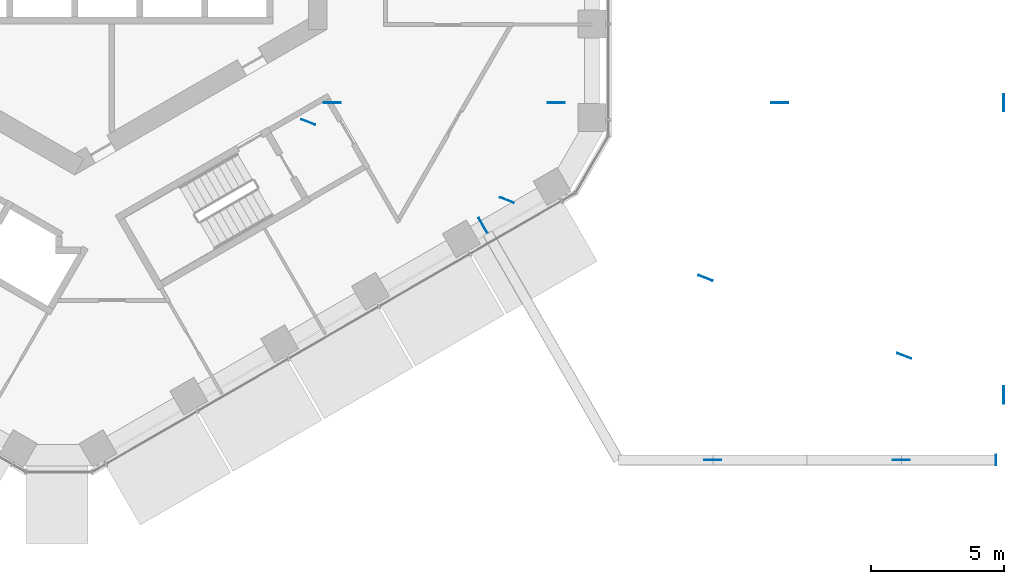
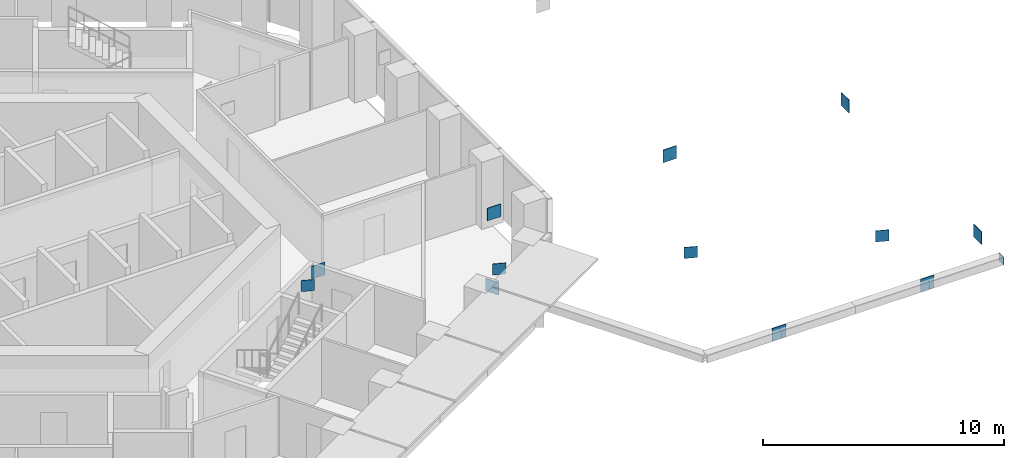
# One storey, part 17 of 21: 13 discrete accessories.
"""IFC4 building model written with IfcOpenShell, lengths in metres."""

import ifcopenshell
import ifcopenshell.guid

model = None  # the IFC model being written
_history = None  # IfcOwnerHistory: only IFC2X3 demands one
_inside = {}  # id of a spatial element -> (the spatial element, [elements in it])
_under = {}  # id of a project, library or spatial element -> (it, [spatial elements below it])
_declared = {}  # id of a project -> (the project, [libraries it declares])
_typed = {}  # id of a type object -> (the type object, [elements of that type])
_made_of = {}  # id of a material, layer set ... -> (it, [elements and type objects made of it])


def new_model(schema):
    """Start an empty IFC model of exactly this schema.

    Asked for "IFC4X3", IfcOpenShell would pick the latest addendum, in which some entities
    have other attributes; the version numbers below select the first issue.
    IFC2X3 requires an IfcOwnerHistory on every rooted entity: one is made here for all.
    """
    global model, _history
    if schema == "IFC4X3":
        model = ifcopenshell.file(schema_version=(4, 3, 0, 0))
    else:
        model = ifcopenshell.file(schema=schema)
    _inside.clear()
    _under.clear()
    _declared.clear()
    _typed.clear()
    _made_of.clear()
    _history = None
    if model.schema == "IFC2X3":
        org = make("IfcOrganization", Name="unknown")
        user = make(
            "IfcPersonAndOrganization",
            ThePerson=make("IfcPerson", FamilyName="unknown"),
            TheOrganization=org,
        )
        app = make(
            "IfcApplication",
            ApplicationDeveloper=org,
            Version="unknown",
            ApplicationFullName="unknown",
            ApplicationIdentifier="unknown",
        )
        _history = make(
            "IfcOwnerHistory",
            OwningUser=user,
            OwningApplication=app,
            ChangeAction="ADDED",
            CreationDate=0,
        )
    return model


def make(cls, **values):
    """One entity of the class cls with the attributes given. An attribute that is None is left unset."""
    return model.create_entity(
        cls, **{name: value for name, value in values.items() if value is not None}
    )


def rooted(cls, **values):
    """An entity with a GlobalId (a new one), such as an element, a storey or a relation."""
    return make(cls, GlobalId=ifcopenshell.guid.new(), OwnerHistory=_history, **values)


def si_unit(unit_type, name, prefix=None):
    """IfcSIUnit, for example si_unit("LENGTHUNIT", "METRE", prefix="MILLI")."""
    return make("IfcSIUnit", UnitType=unit_type, Prefix=prefix, Name=name)


def assignment(units):
    """IfcUnitAssignment: the units of a project."""
    return None if units is None else make("IfcUnitAssignment", Units=units)


def point(xyz):
    """IfcCartesianPoint."""
    return None if xyz is None else make("IfcCartesianPoint", Coordinates=xyz)


def direction(xyz):
    """IfcDirection."""
    return None if xyz is None else make("IfcDirection", DirectionRatios=xyz)


def frame(location, z_axis=None, x_axis=None):
    """IfcAxis2Placement3D, a coordinate frame: its origin and axes. An axis left out is left unset."""
    return make(
        "IfcAxis2Placement3D",
        Location=point(location),
        Axis=direction(z_axis),
        RefDirection=direction(x_axis),
    )


def frame_2d(location, x_axis=None):
    """IfcAxis2Placement2D, a coordinate frame in the plane: its origin and x axis."""
    return make(
        "IfcAxis2Placement2D", Location=point(location), RefDirection=direction(x_axis)
    )


def origin():
    """The frame at (0, 0, 0) with its axes left unset."""
    return frame((0.0, 0.0, 0.0))


def origin_2d():
    """The frame at (0, 0) in the plane with its x axis left unset."""
    return frame_2d((0.0, 0.0))


def place(relative_to, where):
    """IfcLocalPlacement: puts the frame where relative to a parent placement (None: the world)."""
    return make(
        "IfcLocalPlacement", PlacementRelTo=relative_to, RelativePlacement=where
    )


def context(
    kind, dimensions, precision=None, world=None, true_north=None, identifier=None
):
    """IfcGeometricRepresentationContext, for example the 3D "Model" context."""
    return make(
        "IfcGeometricRepresentationContext",
        ContextIdentifier=identifier,
        ContextType=kind,
        CoordinateSpaceDimension=dimensions,
        Precision=precision,
        WorldCoordinateSystem=world,
        TrueNorth=true_north,
    )


def subcontext(parent, identifier, kind, view, scale=None):
    """IfcGeometricRepresentationSubContext, for example "Body" below "Model"."""
    return make(
        "IfcGeometricRepresentationSubContext",
        ContextIdentifier=identifier,
        ContextType=kind,
        ParentContext=parent,
        TargetScale=scale,
        TargetView=view,
    )


def project(units=None, contexts=None):
    """IfcProject with its units and contexts."""
    return rooted(
        "IfcProject",
        Name="project",
        RepresentationContexts=contexts,
        UnitsInContext=assignment(units),
    )


def spatial(cls, under=None, at=None, **own):
    """A site, building, storey or space (cls), placed at a placement, below another one or the project."""
    s = rooted(cls, ObjectPlacement=at, **own)
    if under is not None:
        _under.setdefault(under.id(), (under, []))[1].append(s)
    return s


def profile(cls, at=None, kind="AREA", **sizes):
    """A parametric profile (cls). Its sizes go by their IFC names, for example OverallWidth=200.0."""
    return make(cls, ProfileType=kind, Position=at, **sizes)


def rectangle(**sizes):
    """IfcRectangleProfileDef."""
    return profile("IfcRectangleProfileDef", **sizes)


def extrude(swept, where, along, depth):
    """IfcExtrudedAreaSolid: the profile swept, set in the frame where, extruded along a direction by depth."""
    return make(
        "IfcExtrudedAreaSolid",
        SweptArea=swept,
        Position=where,
        ExtrudedDirection=direction(along),
        Depth=depth,
    )


def shape(context_of_items, identifier, shape_type, items):
    """IfcShapeRepresentation: the items that make up one representation, for example the "Body"."""
    return make(
        "IfcShapeRepresentation",
        ContextOfItems=context_of_items,
        RepresentationIdentifier=identifier,
        RepresentationType=shape_type,
        Items=items,
    )


def material(Name=None, Category=None):
    """IfcMaterial."""
    return make("IfcMaterial", Name=Name, Category=Category)


def layer(
    of_material, thickness, ventilated=None, Name=None, Category=None, Priority=None
):
    """IfcMaterialLayer: one layer of a wall or slab, of a material (None: an air gap)."""
    return make(
        "IfcMaterialLayer",
        Material=of_material,
        LayerThickness=thickness,
        IsVentilated=ventilated,
        Name=Name,
        Category=Category,
        Priority=Priority,
    )


def layer_set(layers, Name=None):
    """IfcMaterialLayerSet."""
    return make("IfcMaterialLayerSet", MaterialLayers=layers, LayerSetName=Name)


def made_of(thing, what):
    """Note that an element or type object is made of a material, layer set ...; save() writes the relation."""
    if what is not None:
        _made_of.setdefault(what.id(), (what, []))[1].append(thing)
    return thing


def type_object(cls, material=None, **own):
    """A type object (cls), such as IfcWallType, which elements share."""
    return made_of(rooted(cls, **own), material)


def element(
    cls,
    number,
    at=None,
    inside=None,
    cuts=None,
    type_object=None,
    material=None,
    context=None,
    identifier="Body",
    shape_type=None,
    held_by="IfcProductDefinitionShape",
    body=None,
    shapes=None,
    **own,
):
    """One element of the class cls, such as IfcWall. Its Tag is "e" and its number.

    at: its placement. inside: the storey or other place that contains it. cuts: it is an
    opening in that element (IfcRelVoidsElement). A single representation is given by context,
    identifier, shape_type and body (its items); several are given by shapes. held_by: the class
    of the entity that holds the representations. save() writes the other relations.
    """
    e = rooted(cls, Tag="e%d" % number, ObjectPlacement=at, **own)
    if body is not None:
        shapes = [shape(context, identifier, shape_type, body)]
    if shapes is not None:
        e.Representation = make(held_by, Representations=shapes)
    if inside is not None:
        _inside.setdefault(inside.id(), (inside, []))[1].append(e)
    if cuts is not None:
        rooted(
            "IfcRelVoidsElement", RelatingBuildingElement=cuts, RelatedOpeningElement=e
        )
    if type_object is not None:
        _typed.setdefault(type_object.id(), (type_object, []))[1].append(e)
    return made_of(e, material)


def aggregate(whole, parts):
    """IfcRelAggregates: a whole, such as a stair, and the parts it consists of."""
    return rooted("IfcRelAggregates", RelatingObject=whole, RelatedObjects=parts)


def save(model, path):
    """Write the relations noted so far, then the file.

    IfcRelAggregates (storeys below a building ...), IfcRelContainedInSpatialStructure (elements
    in a storey), IfcRelDefinesByType, IfcRelAssociatesMaterial and IfcRelDeclares: one each for
    every whole, place, type object, material and project.
    """
    for whole, parts in _under.values():
        aggregate(whole, parts)
    for where, things in _inside.values():
        rooted(
            "IfcRelContainedInSpatialStructure",
            RelatedElements=things,
            RelatingStructure=where,
        )
    for kind, things in _typed.values():
        rooted("IfcRelDefinesByType", RelatedObjects=things, RelatingType=kind)
    for what, things in _made_of.values():
        rooted("IfcRelAssociatesMaterial", RelatedObjects=things, RelatingMaterial=what)
    for by, libraries in _declared.values():
        rooted("IfcRelDeclares", RelatingContext=by, RelatedDefinitions=libraries)
    model.write(path)


model = new_model("IFC4")

# Units and contexts
model_context = context("Model", 3, precision=1e-05, world=origin(), true_north=direction((0.0, 1.0)))
body_context = subcontext(model_context, "Body", "Model", "MODEL_VIEW")
ifc_project = project(units=[si_unit("LENGTHUNIT", "METRE"), si_unit("AREAUNIT", "SQUARE_METRE"), si_unit("VOLUMEUNIT", "CUBIC_METRE"), si_unit("PLANEANGLEUNIT", "RADIAN"), si_unit("MASSUNIT", "GRAM", prefix="KILO")], contexts=[model_context])

# Site, building, storey
site_placement = place(None, origin())
site = spatial("IfcSite", under=ifc_project, at=site_placement, CompositionType="ELEMENT")
building_placement = place(site_placement, origin())
building = spatial("IfcBuilding", under=site, at=building_placement, Name="Ayvan Gate Tower", CompositionType="ELEMENT")
storey_placement = place(building_placement, frame((0.0, 0.0, 117.10009765625)))
storey = spatial("IfcBuildingStorey", under=building, at=storey_placement, Name="L31", CompositionType="ELEMENT", Elevation=117.10009765625)

# Discrete accessories
ifc_material = material(Name="Steel S460ML", Category="steel")
ifc_layer_1 = layer(ifc_material, 0.02490234375)
ifc_layer_set_1 = layer_set([ifc_layer_1], Name="Steel S460ML")
discrete_accessory_type_1 = type_object("IfcDiscreteAccessoryType", Name="Gusset plate 25 mm", PredefinedType="BRACKET", material=ifc_layer_set_1)
for number, where, z_axis, x_axis, name in (
    (1, (8.79541015625, -8.9736328125, 2.369873046875), (0.0, 0.0, 1.0), (-0.930902894956, 0.365266752064, 0.0), "Gusset plate SBT2-1-D-2"),
    (2, (16.2783203125, -11.90966796875, 2.369873046875), (0.0, 0.0, 1.0), (-0.930902894956, 0.365266752064, 0.0), "Gusset plate SBT2-1-D-3"),
    (3, (23.76123046875, -14.845703125, 2.369873046875), (0.0, 0.0, 1.0), (-0.930902894956, 0.365266752064, 0.0), "Gusset plate SBT2-1-D-5"),
    (4, (31.244140625, -17.781982421875, 2.369873046875), (0.0, 0.0, 1.0), (-0.930902894956, 0.365266752064, 0.0), "Gusset plate SBT2-1-D-7"),
):
    element("IfcDiscreteAccessory", number, at=place(storey_placement, frame(where, z_axis=z_axis, x_axis=x_axis)), inside=storey, type_object=discrete_accessory_type_1, Name=name, PredefinedType="BRACKET", context=body_context, shape_type="SweptSolid", body=[
        extrude(rectangle(XDim=0.56005859375, YDim=0.02490234375, at=origin_2d()), origin(), (0.0, 0.0, 1.0), 0.56005859375),
    ])
ifc_layer_2 = layer(ifc_material, 0.030029296875)
ifc_layer_set_2 = layer_set([ifc_layer_2], Name="Steel S460ML")
discrete_accessory_type_2 = type_object("IfcDiscreteAccessoryType", Name="Gusset plate 30 mm", PredefinedType="BRACKET", material=ifc_layer_set_2)
for number, where, z_axis, x_axis, name in (
    (5, (9.710693359375, -8.25, 2.330078125), (0.0, 0.0, 1.0), (1.0, 0.0, 0.0), "Gusset plate SBT2-2-D-2"),
    (6, (18.135498046875, -8.25, 2.330078125), (0.0, 0.0, 1.0), (1.0, 0.0, 0.0), "Gusset plate SBT2-2-D-3"),
    (7, (26.560546875, -8.25, 2.330078125), (0.0, 0.0, 1.0), (1.0, 0.0, 0.0), "Gusset plate SBT2-2-D-5"),
    (8, (15.382080078125, -12.865478515625, 2.330078125), (0.0, 0.0, 1.0), (-0.5, 0.866025403784, 0.0), "Gusset plate SBX2-B-D-1"),
    (9, (24.03564453125, -21.705078125, 2.330078125), (0.0, 0.0, 1.0), (1.0, 0.0, 0.0), "Gusset plate SBX2-B-D-2"),
    (10, (31.135498046875, -21.705078125, 2.330078125), (0.0, 0.0, 1.0), (1.0, 0.0, 0.0), "Gusset plate SBX2-B-D-4"),
):
    element("IfcDiscreteAccessory", number, at=place(storey_placement, frame(where, z_axis=z_axis, x_axis=x_axis)), inside=storey, type_object=discrete_accessory_type_2, Name=name, PredefinedType="BRACKET", context=body_context, shape_type="SweptSolid", body=[
        extrude(rectangle(XDim=0.639892578125, YDim=0.030029296875, at=origin_2d()), origin(), (0.0, 0.0, 1.0), 0.639892578125),
    ])
ifc_layer_3 = layer(ifc_material, 0.034912109375)
ifc_layer_set_3 = layer_set([ifc_layer_3], Name="Steel S460ML")
discrete_accessory_type_3 = type_object("IfcDiscreteAccessoryType", Name="Gusset plate 35 mm", PredefinedType="BRACKET", material=ifc_layer_set_3)
for number, where, z_axis, x_axis, name in (
    (11, (34.985595703125, -19.25, 1.974609375), (0.0, 0.0, 1.0), (0.0, 1.0, 0.0), "Gusset plate EXO-B2-D1A"),
    (12, (34.985595703125, -8.25, 1.974609375), (0.0, 0.0, 1.0), (0.0, 1.0, 0.0), "Gusset plate EXO-B2-D1B"),
):
    element("IfcDiscreteAccessory", number, at=place(storey_placement, frame(where, z_axis=z_axis, x_axis=x_axis)), inside=storey, type_object=discrete_accessory_type_3, Name=name, PredefinedType="BRACKET", context=body_context, shape_type="SweptSolid", body=[
        extrude(rectangle(XDim=0.650146484375, YDim=0.034912109375, at=origin_2d()), origin(), (0.0, 0.0, 1.0), 0.650146484375),
    ])
ifc_layer_4 = layer(ifc_material, 0.02001953125)
ifc_layer_set_4 = layer_set([ifc_layer_4], Name="Steel S460ML")
discrete_accessory_type_4 = type_object("IfcDiscreteAccessoryType", Name="Sky bar end cap plate", PredefinedType="BRACKET", material=ifc_layer_set_4)
discrete_accessory_placement = place(storey_placement, frame((34.695556640625, -21.705078125, 2.449951171875), z_axis=(0.0, 0.0, 1.0), x_axis=(1.0, 0.0, 0.0)))
element("IfcDiscreteAccessory", 13, at=discrete_accessory_placement, inside=storey, type_object=discrete_accessory_type_4, Name="End cap SBX2-B-BC-5:EC", PredefinedType="BRACKET", context=body_context, shape_type="SweptSolid", body=[
    extrude(rectangle(XDim=0.02001953125, YDim=0.39990234375, at=origin_2d()), origin(), (0.0, 0.0, 1.0), 0.39990234375),
])

save(model, "model.ifc")
